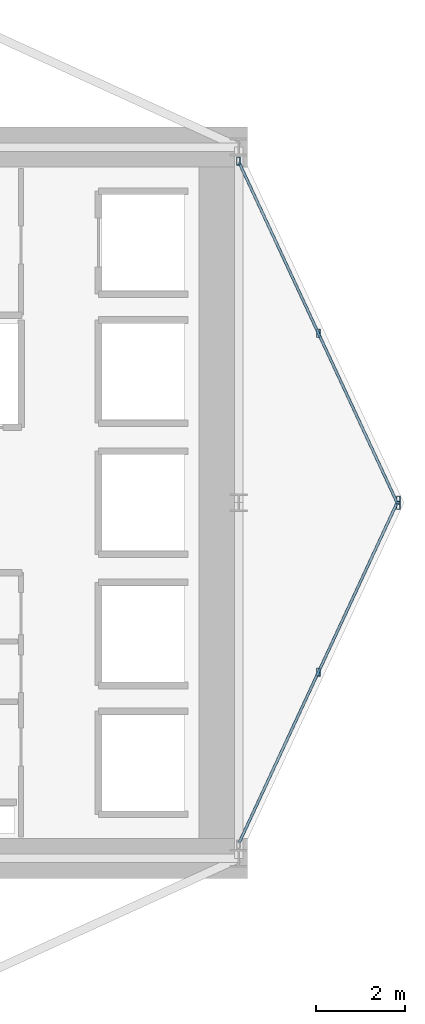
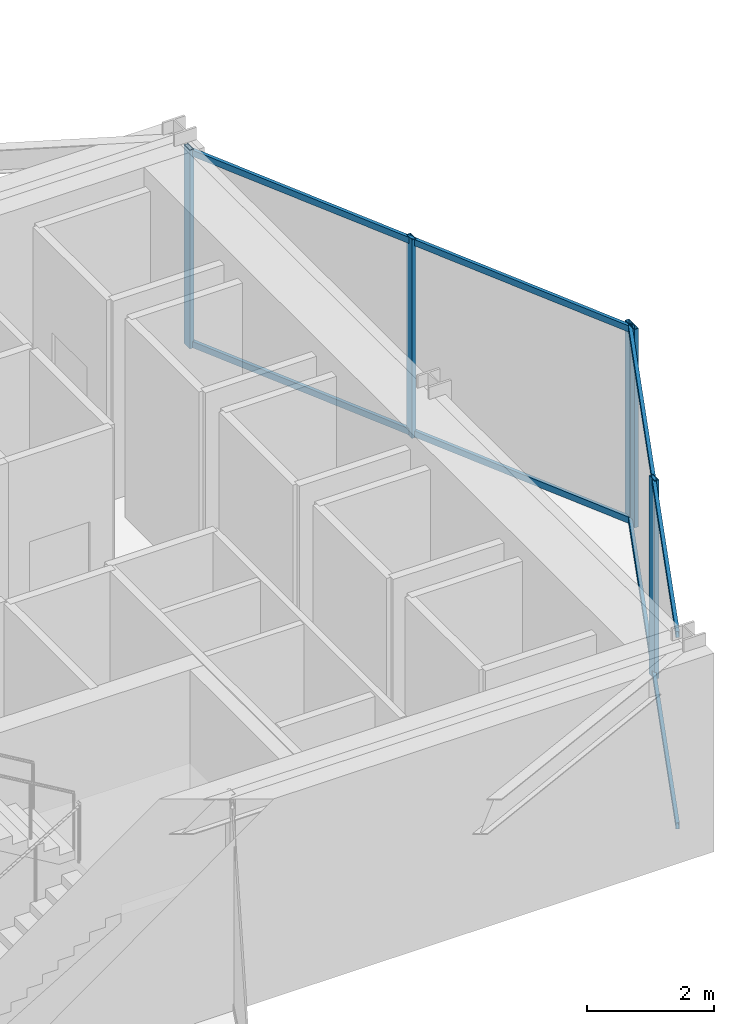
# One storey, part 16 of 26: 9 members, 2 elements without a shape of their own.
"""IFC4 building model written with IfcOpenShell, lengths in metres."""

from ifc_helpers import new_model, si_unit, direction, frame, origin, origin_2d, place, context, subcontext, project, spatial, hollow_rectangle, extrude, material, layer, layer_set, material_profile, profile_set, type_object, element, aggregate, save


model = new_model("IFC4")

# Units and contexts
model_context = context("Model", 3, precision=1e-05, world=origin(), true_north=direction((0.0, 1.0)))
body_context = subcontext(model_context, "Body", "Model", "MODEL_VIEW")
ifc_project = project(units=[si_unit("LENGTHUNIT", "METRE"), si_unit("AREAUNIT", "SQUARE_METRE"), si_unit("VOLUMEUNIT", "CUBIC_METRE"), si_unit("PLANEANGLEUNIT", "RADIAN"), si_unit("MASSUNIT", "GRAM", prefix="KILO")], contexts=[model_context])

# Site, building, storey
site_placement = place(None, origin())
site = spatial("IfcSite", under=ifc_project, at=site_placement, CompositionType="ELEMENT")
building_placement = place(site_placement, origin())
building = spatial("IfcBuilding", under=site, at=building_placement, Name="Veymaron Broadcast Tower", CompositionType="ELEMENT")
storey_placement = place(building_placement, frame((0.0, 0.0, 90.449951171875)))
storey = spatial("IfcBuildingStorey", under=building, at=storey_placement, Name="L20", CompositionType="ELEMENT", Elevation=90.449951171875)

# Curtain wall, members
ifc_material_1 = material(Name="Anodised aluminium AA 6063-T6 and laminated low-E dark glass", Category="aluminium")
ifc_layer = layer(ifc_material_1, 0.179931640625)
ifc_layer_set = layer_set([ifc_layer], Name="Anodised aluminium AA 6063-T6 and laminated low-E dark glass")
curtain_wall_type = type_object("IfcCurtainWallType", Name="CW-SYS-02", PredefinedType="NOTDEFINED", material=ifc_layer_set)
curtain_wall_1_placement = place(storey_placement, origin())
curtain_wall_1 = element("IfcCurtainWall", 1, at=curtain_wall_1_placement, inside=storey, type_object=curtain_wall_type, Name="L20 dark-glass curtain wall CW-L20-E3-1", PredefinedType="NOTDEFINED")
ifc_material_2 = material(Name="Anodised aluminium AA 6063-T6", Category="aluminium")
ifc_material_profile_1 = material_profile(ifc_material_2, hollow_rectangle(XDim=0.074951171875, YDim=0.179931640625, WallThickness=0.0048828125, at=origin_2d()), Name="AL180X75X5")
ifc_profile_set_1 = profile_set([ifc_material_profile_1], Name="Anodised aluminium AA 6063-T6")
member_type_1 = type_object("IfcMemberType", Name="CW-MUL-02", PredefinedType="MULLION", material=ifc_profile_set_1)
member_1_placement = place(storey_placement, frame((56.39111328125, 20.1875, 0.0), z_axis=(0.0, 0.0, 1.0), x_axis=(1.0, 0.0, 0.0)))
member_1 = element("IfcMember", 2, at=member_1_placement, type_object=member_type_1, Name="CW-L20-E3-1 mullion 1", PredefinedType="MULLION", context=body_context, shape_type="SweptSolid", body=[
    extrude(hollow_rectangle(XDim=0.074951171875, YDim=0.179931640625, WallThickness=0.0048828125, at=origin_2d()), origin(), (0.0, 0.0, 1.0), 3.81005859375),
])
member_2_placement = place(storey_placement, frame((58.18994140625, 24.05908203125, 0.0), z_axis=(0.0, 0.0, 1.0), x_axis=(1.0, 0.0, 0.0)))
member_2 = element("IfcMember", 3, at=member_2_placement, type_object=member_type_1, Name="CW-L20-E3-1 mullion 2", PredefinedType="MULLION", context=body_context, shape_type="SweptSolid", body=[
    extrude(hollow_rectangle(XDim=0.074951171875, YDim=0.179931640625, WallThickness=0.0048828125, at=origin_2d()), origin(), (0.0, 0.0, 1.0), 3.81005859375),
])

curtain_wall_2_placement = place(storey_placement, origin())
curtain_wall_2 = element("IfcCurtainWall", 4, at=curtain_wall_2_placement, inside=storey, type_object=curtain_wall_type, Name="L20 dark-glass curtain wall CW-L20-E4-1", PredefinedType="NOTDEFINED")
member_3_placement = place(storey_placement, frame((58.18994140625, 23.94091796875, 0.0), z_axis=(0.0, 0.0, 1.0), x_axis=(1.0, 0.0, 0.0)))
member_3 = element("IfcMember", 5, at=member_3_placement, type_object=member_type_1, Name="CW-L20-E4-1 mullion 0", PredefinedType="MULLION", context=body_context, shape_type="SweptSolid", body=[
    extrude(hollow_rectangle(XDim=0.074951171875, YDim=0.179931640625, WallThickness=0.0048828125, at=origin_2d()), origin(), (0.0, 0.0, 1.0), 3.81005859375),
])
member_4_placement = place(storey_placement, frame((56.39111328125, 27.8125, 0.0), z_axis=(0.0, 0.0, 1.0), x_axis=(1.0, 0.0, 0.0)))
member_4 = element("IfcMember", 6, at=member_4_placement, type_object=member_type_1, Name="CW-L20-E4-1 mullion 1", PredefinedType="MULLION", context=body_context, shape_type="SweptSolid", body=[
    extrude(hollow_rectangle(XDim=0.074951171875, YDim=0.179931640625, WallThickness=0.0048828125, at=origin_2d()), origin(), (0.0, 0.0, 1.0), 3.81005859375),
])
member_5_placement = place(storey_placement, frame((54.59228515625, 31.68408203125, 0.0), z_axis=(0.0, 0.0, 1.0), x_axis=(1.0, 0.0, 0.0)))
member_5 = element("IfcMember", 7, at=member_5_placement, type_object=member_type_1, Name="CW-L20-E4-1 mullion 2", PredefinedType="MULLION", context=body_context, shape_type="SweptSolid", body=[
    extrude(hollow_rectangle(XDim=0.074951171875, YDim=0.179931640625, WallThickness=0.0048828125, at=origin_2d()), origin(), (0.0, 0.0, 1.0), 3.81005859375),
])

# Member
ifc_material_profile_2 = material_profile(ifc_material_2, hollow_rectangle(XDim=0.06005859375, YDim=0.1201171875, WallThickness=0.00390625, at=origin_2d()), Name="AL120X60X4")
ifc_profile_set_2 = profile_set([ifc_material_profile_2], Name="Anodised aluminium AA 6063-T6")
member_type_2 = type_object("IfcMemberType", Name="CW-TRN-02", PredefinedType="USERDEFINED", material=ifc_profile_set_2)
member_6_placement = place(storey_placement, frame((54.613525390625, 16.361328125, 0.070068359375), z_axis=(0.421359518212, 0.906893685286, 0.0), x_axis=(-0.906893685286, 0.421359518212, 0.0)))
member_6 = element("IfcMember", 8, at=member_6_placement, type_object=member_type_2, Name="CW-L20-E3-1 transom B", ObjectType="TRANSOM", PredefinedType="USERDEFINED", context=body_context, shape_type="SweptSolid", body=[
    extrude(hollow_rectangle(XDim=0.06005859375, YDim=0.1201171875, WallThickness=0.00390625, at=origin_2d()), origin(), (0.0, 0.0, 1.0), 8.43798828125),
])

member_7_placement = place(storey_placement, frame((54.613525390625, 16.361328125, 3.739990234375), z_axis=(0.421359518212, 0.906893685286, 0.0), x_axis=(-0.906893685286, 0.421359518212, 0.0)))
member_7 = element("IfcMember", 9, at=member_7_placement, type_object=member_type_2, Name="CW-L20-E3-1 transom T", ObjectType="TRANSOM", PredefinedType="USERDEFINED", context=body_context, shape_type="SweptSolid", body=[
    extrude(hollow_rectangle(XDim=0.06005859375, YDim=0.1201171875, WallThickness=0.00390625, at=origin_2d()), origin(), (0.0, 0.0, 1.0), 8.43798828125),
])

aggregate(curtain_wall_1, [member_1, member_2, member_6, member_7])

member_8_placement = place(storey_placement, frame((58.1689453125, 23.986328125, 0.070068359375), z_axis=(-0.421359518212, 0.906893685286, 0.0), x_axis=(-0.906893685286, -0.421359518212, 0.0)))
member_8 = element("IfcMember", 10, at=member_8_placement, type_object=member_type_2, Name="CW-L20-E4-1 transom B", ObjectType="TRANSOM", PredefinedType="USERDEFINED", context=body_context, shape_type="SweptSolid", body=[
    extrude(hollow_rectangle(XDim=0.06005859375, YDim=0.1201171875, WallThickness=0.00390625, at=origin_2d()), origin(), (0.0, 0.0, 1.0), 8.43798828125),
])

member_9_placement = place(storey_placement, frame((58.1689453125, 23.986328125, 3.739990234375), z_axis=(-0.421359518212, 0.906893685286, 0.0), x_axis=(-0.906893685286, -0.421359518212, 0.0)))
member_9 = element("IfcMember", 11, at=member_9_placement, type_object=member_type_2, Name="CW-L20-E4-1 transom T", ObjectType="TRANSOM", PredefinedType="USERDEFINED", context=body_context, shape_type="SweptSolid", body=[
    extrude(hollow_rectangle(XDim=0.06005859375, YDim=0.1201171875, WallThickness=0.00390625, at=origin_2d()), origin(), (0.0, 0.0, 1.0), 8.43798828125),
])

aggregate(curtain_wall_2, [member_3, member_4, member_5, member_8, member_9])

save(model, "model.ifc")
